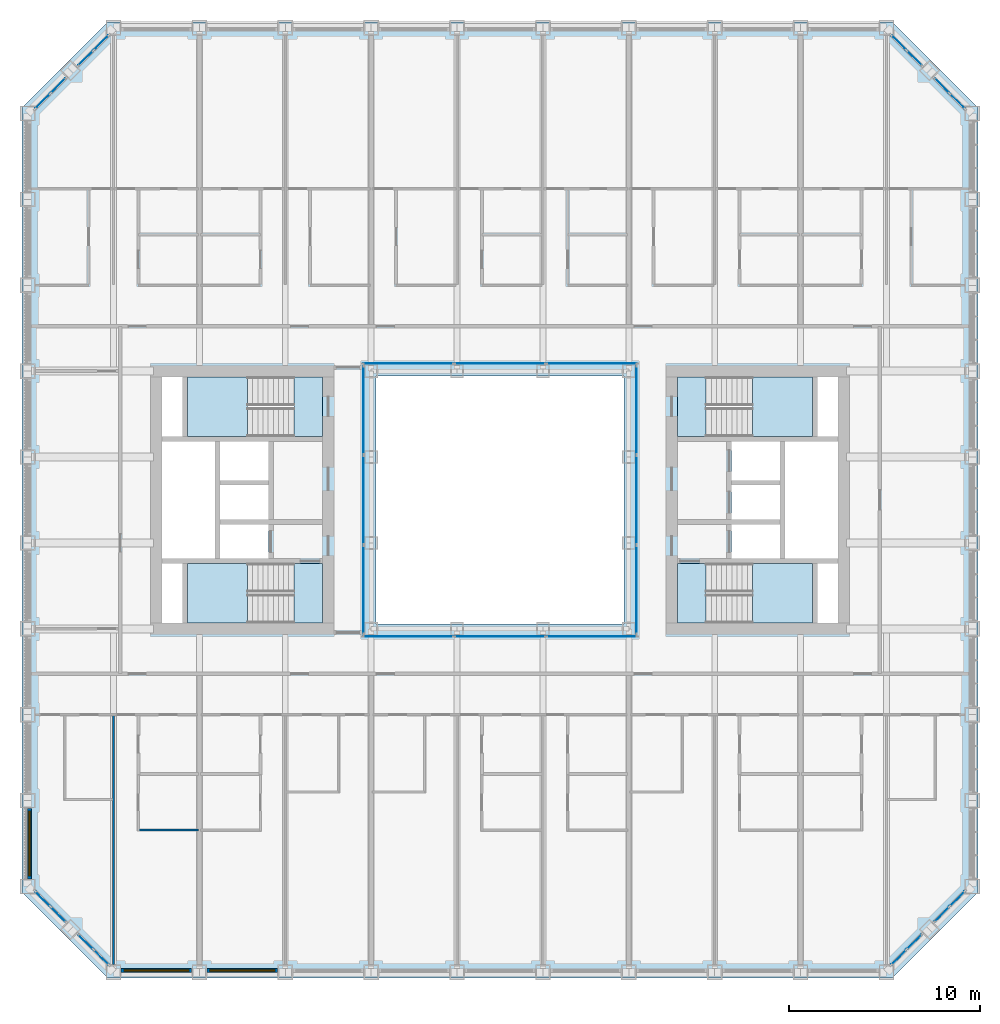
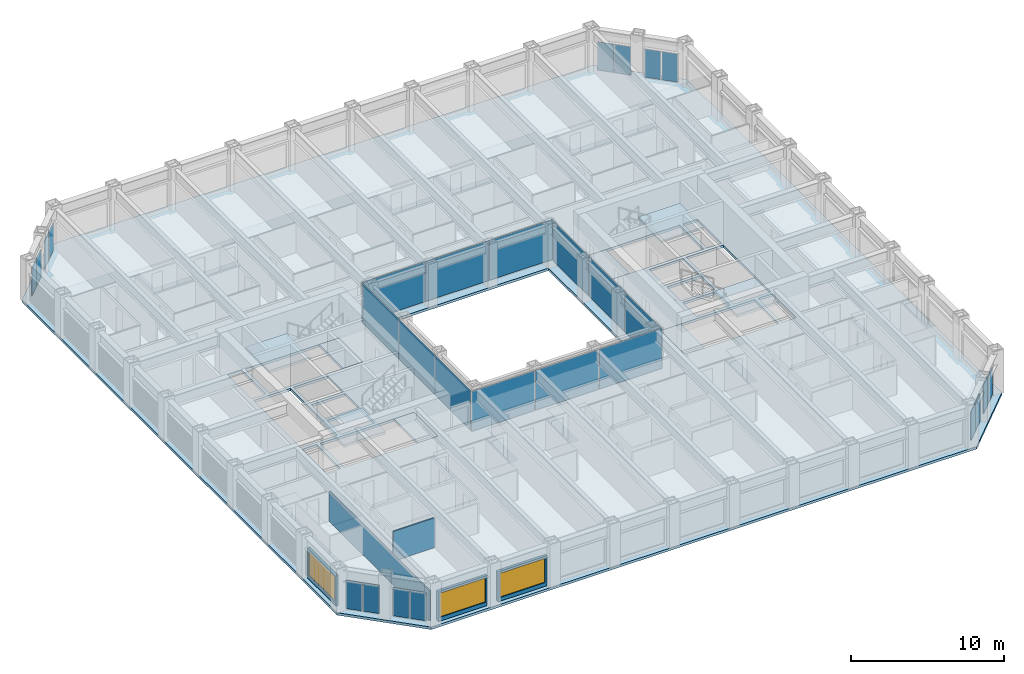
# One storey, part 8 of 21: 28 plates, 9 slabs, 5 walls, 3 windows, 3 openings, 16 elements without a shape of their own.
"""IFC4 building model written with IfcOpenShell, lengths in metres."""

from ifc_helpers import new_model, si_unit, direction, frame, frame_2d, origin, origin_2d, place, context, subcontext, project, spatial, polyline, rectangle, outline, extrude, material, layer, layer_set, type_object, element, fill, aggregate, save


model = new_model("IFC4")

# Units and contexts
model_context = context("Model", 3, precision=1e-05, world=origin(), true_north=direction((0.0, 1.0)))
body_context = subcontext(model_context, "Body", "Model", "MODEL_VIEW")
ifc_project = project(units=[si_unit("LENGTHUNIT", "METRE"), si_unit("AREAUNIT", "SQUARE_METRE"), si_unit("VOLUMEUNIT", "CUBIC_METRE"), si_unit("PLANEANGLEUNIT", "RADIAN"), si_unit("MASSUNIT", "GRAM", prefix="KILO")], contexts=[model_context])

# Site, building, storey
site_placement = place(None, origin())
site = spatial("IfcSite", under=ifc_project, at=site_placement, CompositionType="ELEMENT")
building_placement = place(site_placement, origin())
building = spatial("IfcBuilding", under=site, at=building_placement, Name="Msasa Ring Tower", CompositionType="ELEMENT")
storey_placement = place(building_placement, frame((0.0, 0.0, 54.5)))
storey = spatial("IfcBuildingStorey", under=building, at=storey_placement, Name="L13", CompositionType="ELEMENT", Elevation=54.5)

# Curtain wall, plates
ifc_material_1 = material(Name="Aluminium curtain wall with clear glass", Category="aluminium")
curtain_wall_type_1 = type_object("IfcCurtainWallType", Name="CW-C CHAMFER CORNER CURTAIN WALL", PredefinedType="NOTDEFINED", material=ifc_material_1)
curtain_wall_1_placement = place(storey_placement, origin())
curtain_wall_1 = element("IfcCurtainWall", 1, at=curtain_wall_1_placement, inside=storey, type_object=curtain_wall_type_1, Name="Chamfer corner curtain wall SE L13", PredefinedType="NOTDEFINED")
ifc_material_2 = material(Name="Clear laminated insulating glass unit", Category="glass")
ifc_layer_1 = layer(ifc_material_2, 0.031982421875)
ifc_layer_set_1 = layer_set([ifc_layer_1], Name="CW-C GLASS PANEL 32")
plate_type_1 = type_object("IfcPlateType", Name="CW-C GLASS PANEL 32", PredefinedType="CURTAIN_PANEL", material=ifc_layer_set_1)
plate_1_placement = place(storey_placement, frame((20.896484375, -23.962158203125, 0.06494140625), z_axis=(0.0, 0.0, 1.0), x_axis=(0.707106781187, 0.707106781187, 0.0)))
plate_1 = element("IfcPlate", 2, at=plate_1_placement, type_object=plate_type_1, Name="CW-C panel 1.1", PredefinedType="CURTAIN_PANEL", context=body_context, shape_type="SweptSolid", body=[
    extrude(rectangle(XDim=1.08837890625, YDim=0.031982421875, at=origin_2d()), origin(), (0.0, 0.0, 1.0), 2.2490234375),
])
plate_2_placement = place(storey_placement, frame((21.712158203125, -23.146484375, 0.06494140625), z_axis=(0.0, 0.0, 1.0), x_axis=(0.707106781187, 0.707106781187, 0.0)))
plate_2 = element("IfcPlate", 3, at=plate_2_placement, type_object=plate_type_1, Name="CW-C panel 2.1", PredefinedType="CURTAIN_PANEL", context=body_context, shape_type="SweptSolid", body=[
    extrude(rectangle(XDim=1.08837890625, YDim=0.031982421875, at=origin_2d()), origin(), (0.0, 0.0, 1.0), 2.2490234375),
])
aggregate(curtain_wall_1, [plate_1, plate_2])

curtain_wall_2_placement = place(storey_placement, origin())
curtain_wall_2 = element("IfcCurtainWall", 4, at=curtain_wall_2_placement, inside=storey, type_object=curtain_wall_type_1, Name="Chamfer corner curtain wall SE L13", PredefinedType="NOTDEFINED")
plate_3_placement = place(storey_placement, frame((23.146484375, -21.712158203125, 0.06494140625), z_axis=(0.0, 0.0, 1.0), x_axis=(0.707106781187, 0.707106781187, 0.0)))
plate_3 = element("IfcPlate", 5, at=plate_3_placement, type_object=plate_type_1, Name="CW-C panel 1.1", PredefinedType="CURTAIN_PANEL", context=body_context, shape_type="SweptSolid", body=[
    extrude(rectangle(XDim=1.08837890625, YDim=0.031982421875, at=origin_2d()), origin(), (0.0, 0.0, 1.0), 2.2490234375),
])
plate_4_placement = place(storey_placement, frame((23.962158203125, -20.896484375, 0.06494140625), z_axis=(0.0, 0.0, 1.0), x_axis=(0.707106781187, 0.707106781187, 0.0)))
plate_4 = element("IfcPlate", 6, at=plate_4_placement, type_object=plate_type_1, Name="CW-C panel 2.1", PredefinedType="CURTAIN_PANEL", context=body_context, shape_type="SweptSolid", body=[
    extrude(rectangle(XDim=1.08837890625, YDim=0.031982421875, at=origin_2d()), origin(), (0.0, 0.0, 1.0), 2.2490234375),
])
aggregate(curtain_wall_2, [plate_3, plate_4])

curtain_wall_3_placement = place(storey_placement, origin())
curtain_wall_3 = element("IfcCurtainWall", 7, at=curtain_wall_3_placement, inside=storey, type_object=curtain_wall_type_1, Name="Chamfer corner curtain wall NE L13", PredefinedType="NOTDEFINED")
plate_5_placement = place(storey_placement, frame((21.712158203125, 23.146484375, 0.06494140625), z_axis=(0.0, 0.0, 1.0), x_axis=(-0.707106781187, 0.707106781187, 0.0)))
plate_5 = element("IfcPlate", 8, at=plate_5_placement, type_object=plate_type_1, Name="CW-C panel 1.1", PredefinedType="CURTAIN_PANEL", context=body_context, shape_type="SweptSolid", body=[
    extrude(rectangle(XDim=1.08837890625, YDim=0.031982421875, at=origin_2d()), origin(), (0.0, 0.0, 1.0), 2.2490234375),
])
plate_6_placement = place(storey_placement, frame((20.896484375, 23.962158203125, 0.06494140625), z_axis=(0.0, 0.0, 1.0), x_axis=(-0.707106781187, 0.707106781187, 0.0)))
plate_6 = element("IfcPlate", 9, at=plate_6_placement, type_object=plate_type_1, Name="CW-C panel 2.1", PredefinedType="CURTAIN_PANEL", context=body_context, shape_type="SweptSolid", body=[
    extrude(rectangle(XDim=1.08837890625, YDim=0.031982421875, at=origin_2d()), origin(), (0.0, 0.0, 1.0), 2.2490234375),
])
aggregate(curtain_wall_3, [plate_5, plate_6])

curtain_wall_4_placement = place(storey_placement, origin())
curtain_wall_4 = element("IfcCurtainWall", 10, at=curtain_wall_4_placement, inside=storey, type_object=curtain_wall_type_1, Name="Chamfer corner curtain wall NE L13", PredefinedType="NOTDEFINED")
plate_7_placement = place(storey_placement, frame((23.962158203125, 20.896484375, 0.06494140625), z_axis=(0.0, 0.0, 1.0), x_axis=(-0.707106781187, 0.707106781187, 0.0)))
plate_7 = element("IfcPlate", 11, at=plate_7_placement, type_object=plate_type_1, Name="CW-C panel 1.1", PredefinedType="CURTAIN_PANEL", context=body_context, shape_type="SweptSolid", body=[
    extrude(rectangle(XDim=1.08837890625, YDim=0.031982421875, at=origin_2d()), origin(), (0.0, 0.0, 1.0), 2.2490234375),
])
plate_8_placement = place(storey_placement, frame((23.146484375, 21.712158203125, 0.06494140625), z_axis=(0.0, 0.0, 1.0), x_axis=(-0.707106781187, 0.707106781187, 0.0)))
plate_8 = element("IfcPlate", 12, at=plate_8_placement, type_object=plate_type_1, Name="CW-C panel 2.1", PredefinedType="CURTAIN_PANEL", context=body_context, shape_type="SweptSolid", body=[
    extrude(rectangle(XDim=1.08837890625, YDim=0.031982421875, at=origin_2d()), origin(), (0.0, 0.0, 1.0), 2.2490234375),
])
aggregate(curtain_wall_4, [plate_7, plate_8])

curtain_wall_5_placement = place(storey_placement, origin())
curtain_wall_5 = element("IfcCurtainWall", 13, at=curtain_wall_5_placement, inside=storey, type_object=curtain_wall_type_1, Name="Chamfer corner curtain wall NW L13", PredefinedType="NOTDEFINED")
plate_9_placement = place(storey_placement, frame((-23.146484375, 21.712158203125, 0.06494140625), z_axis=(0.0, 0.0, 1.0), x_axis=(-0.707106781187, -0.707106781187, 0.0)))
plate_9 = element("IfcPlate", 14, at=plate_9_placement, type_object=plate_type_1, Name="CW-C panel 1.1", PredefinedType="CURTAIN_PANEL", context=body_context, shape_type="SweptSolid", body=[
    extrude(rectangle(XDim=1.08837890625, YDim=0.031982421875, at=origin_2d()), origin(), (0.0, 0.0, 1.0), 2.2490234375),
])
plate_10_placement = place(storey_placement, frame((-23.962158203125, 20.896484375, 0.06494140625), z_axis=(0.0, 0.0, 1.0), x_axis=(-0.707106781187, -0.707106781187, 0.0)))
plate_10 = element("IfcPlate", 15, at=plate_10_placement, type_object=plate_type_1, Name="CW-C panel 2.1", PredefinedType="CURTAIN_PANEL", context=body_context, shape_type="SweptSolid", body=[
    extrude(rectangle(XDim=1.08837890625, YDim=0.031982421875, at=origin_2d()), origin(), (0.0, 0.0, 1.0), 2.2490234375),
])
aggregate(curtain_wall_5, [plate_9, plate_10])

curtain_wall_6_placement = place(storey_placement, origin())
curtain_wall_6 = element("IfcCurtainWall", 16, at=curtain_wall_6_placement, inside=storey, type_object=curtain_wall_type_1, Name="Chamfer corner curtain wall NW L13", PredefinedType="NOTDEFINED")
plate_11_placement = place(storey_placement, frame((-20.896484375, 23.962158203125, 0.06494140625), z_axis=(0.0, 0.0, 1.0), x_axis=(-0.707106781187, -0.707106781187, 0.0)))
plate_11 = element("IfcPlate", 17, at=plate_11_placement, type_object=plate_type_1, Name="CW-C panel 1.1", PredefinedType="CURTAIN_PANEL", context=body_context, shape_type="SweptSolid", body=[
    extrude(rectangle(XDim=1.08837890625, YDim=0.031982421875, at=origin_2d()), origin(), (0.0, 0.0, 1.0), 2.2490234375),
])
plate_12_placement = place(storey_placement, frame((-21.712158203125, 23.146484375, 0.06494140625), z_axis=(0.0, 0.0, 1.0), x_axis=(-0.707106781187, -0.707106781187, 0.0)))
plate_12 = element("IfcPlate", 18, at=plate_12_placement, type_object=plate_type_1, Name="CW-C panel 2.1", PredefinedType="CURTAIN_PANEL", context=body_context, shape_type="SweptSolid", body=[
    extrude(rectangle(XDim=1.08837890625, YDim=0.031982421875, at=origin_2d()), origin(), (0.0, 0.0, 1.0), 2.2490234375),
])
aggregate(curtain_wall_6, [plate_11, plate_12])

curtain_wall_7_placement = place(storey_placement, origin())
curtain_wall_7 = element("IfcCurtainWall", 19, at=curtain_wall_7_placement, inside=storey, type_object=curtain_wall_type_1, Name="Chamfer corner curtain wall SW L13", PredefinedType="NOTDEFINED")
plate_13_placement = place(storey_placement, frame((-23.962158203125, -20.896484375, 0.06494140625), z_axis=(0.0, 0.0, 1.0), x_axis=(0.707106781187, -0.707106781187, 0.0)))
plate_13 = element("IfcPlate", 20, at=plate_13_placement, type_object=plate_type_1, Name="CW-C panel 1.1", PredefinedType="CURTAIN_PANEL", context=body_context, shape_type="SweptSolid", body=[
    extrude(rectangle(XDim=1.08837890625, YDim=0.031982421875, at=origin_2d()), origin(), (0.0, 0.0, 1.0), 2.2490234375),
])
plate_14_placement = place(storey_placement, frame((-23.146484375, -21.712158203125, 0.06494140625), z_axis=(0.0, 0.0, 1.0), x_axis=(0.707106781187, -0.707106781187, 0.0)))
plate_14 = element("IfcPlate", 21, at=plate_14_placement, type_object=plate_type_1, Name="CW-C panel 2.1", PredefinedType="CURTAIN_PANEL", context=body_context, shape_type="SweptSolid", body=[
    extrude(rectangle(XDim=1.08837890625, YDim=0.031982421875, at=origin_2d()), origin(), (0.0, 0.0, 1.0), 2.2490234375),
])
aggregate(curtain_wall_7, [plate_13, plate_14])

curtain_wall_8_placement = place(storey_placement, origin())
curtain_wall_8 = element("IfcCurtainWall", 22, at=curtain_wall_8_placement, inside=storey, type_object=curtain_wall_type_1, Name="Chamfer corner curtain wall SW L13", PredefinedType="NOTDEFINED")
plate_15_placement = place(storey_placement, frame((-21.712158203125, -23.146484375, 0.06494140625), z_axis=(0.0, 0.0, 1.0), x_axis=(0.707106781187, -0.707106781187, 0.0)))
plate_15 = element("IfcPlate", 23, at=plate_15_placement, type_object=plate_type_1, Name="CW-C panel 1.1", PredefinedType="CURTAIN_PANEL", context=body_context, shape_type="SweptSolid", body=[
    extrude(rectangle(XDim=1.08837890625, YDim=0.031982421875, at=origin_2d()), origin(), (0.0, 0.0, 1.0), 2.2490234375),
])
plate_16_placement = place(storey_placement, frame((-20.896484375, -23.962158203125, 0.06494140625), z_axis=(0.0, 0.0, 1.0), x_axis=(0.707106781187, -0.707106781187, 0.0)))
plate_16 = element("IfcPlate", 24, at=plate_16_placement, type_object=plate_type_1, Name="CW-C panel 2.1", PredefinedType="CURTAIN_PANEL", context=body_context, shape_type="SweptSolid", body=[
    extrude(rectangle(XDim=1.08837890625, YDim=0.031982421875, at=origin_2d()), origin(), (0.0, 0.0, 1.0), 2.2490234375),
])
aggregate(curtain_wall_8, [plate_15, plate_16])

ifc_material_3 = material(Name="Aluminium curtain wall with clear glass", Category="aluminium")
curtain_wall_type_2 = type_object("IfcCurtainWallType", Name="CW-W LIGHT WELL CURTAIN WALL", PredefinedType="NOTDEFINED", material=ifc_material_3)
curtain_wall_9_placement = place(storey_placement, origin())
curtain_wall_9 = element("IfcCurtainWall", 25, at=curtain_wall_9_placement, inside=storey, type_object=curtain_wall_type_2, Name="Light well curtain wall N L13", PredefinedType="NOTDEFINED")
ifc_material_4 = material(Name="Clear laminated insulating glass unit", Category="glass")
ifc_layer_2 = layer(ifc_material_4, 0.028076171875)
ifc_layer_set_2 = layer_set([ifc_layer_2], Name="CW-W GLASS PANEL 28")
plate_type_2 = type_object("IfcPlateType", Name="CW-W GLASS PANEL 28", PredefinedType="CURTAIN_PANEL", material=ifc_layer_set_2)
plate_17_placement = place(storey_placement, frame((-4.804931640625, 7.14990234375, 0.06005859375), z_axis=(0.0, 0.0, 1.0), x_axis=(1.0, 0.0, 0.0)))
plate_17 = element("IfcPlate", 26, at=plate_17_placement, type_object=plate_type_2, Name="CW-W panel 1.1", PredefinedType="CURTAIN_PANEL", context=body_context, shape_type="SweptSolid", body=[
    extrude(rectangle(XDim=4.72998046875, YDim=0.028076171875, at=origin_2d()), origin(), (0.0, 0.0, 1.0), 3.179931640625),
])
plate_18_placement = place(storey_placement, frame((0.0, 7.14990234375, 0.06005859375), z_axis=(0.0, 0.0, 1.0), x_axis=(1.0, 0.0, 0.0)))
plate_18 = element("IfcPlate", 27, at=plate_18_placement, type_object=plate_type_2, Name="CW-W panel 2.1", PredefinedType="CURTAIN_PANEL", context=body_context, shape_type="SweptSolid", body=[
    extrude(rectangle(XDim=4.760009765625, YDim=0.028076171875, at=origin_2d()), origin(), (0.0, 0.0, 1.0), 3.179931640625),
])
plate_19_placement = place(storey_placement, frame((4.804931640625, 7.14990234375, 0.06005859375), z_axis=(0.0, 0.0, 1.0), x_axis=(1.0, 0.0, 0.0)))
plate_19 = element("IfcPlate", 28, at=plate_19_placement, type_object=plate_type_2, Name="CW-W panel 3.1", PredefinedType="CURTAIN_PANEL", context=body_context, shape_type="SweptSolid", body=[
    extrude(rectangle(XDim=4.72998046875, YDim=0.028076171875, at=origin_2d()), origin(), (0.0, 0.0, 1.0), 3.179931640625),
])
aggregate(curtain_wall_9, [plate_17, plate_18, plate_19])

curtain_wall_10_placement = place(storey_placement, origin())
curtain_wall_10 = element("IfcCurtainWall", 29, at=curtain_wall_10_placement, inside=storey, type_object=curtain_wall_type_2, Name="Light well curtain wall S L13", PredefinedType="NOTDEFINED")
plate_20_placement = place(storey_placement, frame((-4.804931640625, -7.14990234375, 0.06005859375), z_axis=(0.0, 0.0, 1.0), x_axis=(1.0, 0.0, 0.0)))
plate_20 = element("IfcPlate", 30, at=plate_20_placement, type_object=plate_type_2, Name="CW-W panel 1.1", PredefinedType="CURTAIN_PANEL", context=body_context, shape_type="SweptSolid", body=[
    extrude(rectangle(XDim=4.72998046875, YDim=0.028076171875, at=origin_2d()), origin(), (0.0, 0.0, 1.0), 3.179931640625),
])
plate_21_placement = place(storey_placement, frame((0.0, -7.14990234375, 0.06005859375), z_axis=(0.0, 0.0, 1.0), x_axis=(1.0, 0.0, 0.0)))
plate_21 = element("IfcPlate", 31, at=plate_21_placement, type_object=plate_type_2, Name="CW-W panel 2.1", PredefinedType="CURTAIN_PANEL", context=body_context, shape_type="SweptSolid", body=[
    extrude(rectangle(XDim=4.760009765625, YDim=0.028076171875, at=origin_2d()), origin(), (0.0, 0.0, 1.0), 3.179931640625),
])
plate_22_placement = place(storey_placement, frame((4.804931640625, -7.14990234375, 0.06005859375), z_axis=(0.0, 0.0, 1.0), x_axis=(1.0, 0.0, 0.0)))
plate_22 = element("IfcPlate", 32, at=plate_22_placement, type_object=plate_type_2, Name="CW-W panel 3.1", PredefinedType="CURTAIN_PANEL", context=body_context, shape_type="SweptSolid", body=[
    extrude(rectangle(XDim=4.72998046875, YDim=0.028076171875, at=origin_2d()), origin(), (0.0, 0.0, 1.0), 3.179931640625),
])
aggregate(curtain_wall_10, [plate_20, plate_21, plate_22])

curtain_wall_11_placement = place(storey_placement, origin())
curtain_wall_11 = element("IfcCurtainWall", 33, at=curtain_wall_11_placement, inside=storey, type_object=curtain_wall_type_2, Name="Light well curtain wall E L13", PredefinedType="NOTDEFINED")
plate_23_placement = place(storey_placement, frame((7.14990234375, -4.6982421875, 0.06005859375), z_axis=(0.0, 0.0, 1.0), x_axis=(0.0, 1.0, 0.0)))
plate_23 = element("IfcPlate", 34, at=plate_23_placement, type_object=plate_type_2, Name="CW-W panel 1.1", PredefinedType="CURTAIN_PANEL", context=body_context, shape_type="SweptSolid", body=[
    extrude(rectangle(XDim=4.623291015625, YDim=0.028076171875, at=origin_2d()), origin(), (0.0, 0.0, 1.0), 3.179931640625),
])
plate_24_placement = place(storey_placement, frame((7.14990234375, 0.0, 0.06005859375), z_axis=(0.0, 0.0, 1.0), x_axis=(0.0, 1.0, 0.0)))
plate_24 = element("IfcPlate", 35, at=plate_24_placement, type_object=plate_type_2, Name="CW-W panel 2.1", PredefinedType="CURTAIN_PANEL", context=body_context, shape_type="SweptSolid", body=[
    extrude(rectangle(XDim=4.6533203125, YDim=0.028076171875, at=origin_2d()), origin(), (0.0, 0.0, 1.0), 3.179931640625),
])
plate_25_placement = place(storey_placement, frame((7.14990234375, 4.6982421875, 0.06005859375), z_axis=(0.0, 0.0, 1.0), x_axis=(0.0, 1.0, 0.0)))
plate_25 = element("IfcPlate", 36, at=plate_25_placement, type_object=plate_type_2, Name="CW-W panel 3.1", PredefinedType="CURTAIN_PANEL", context=body_context, shape_type="SweptSolid", body=[
    extrude(rectangle(XDim=4.623291015625, YDim=0.028076171875, at=origin_2d()), origin(), (0.0, 0.0, 1.0), 3.179931640625),
])
aggregate(curtain_wall_11, [plate_23, plate_24, plate_25])

curtain_wall_12_placement = place(storey_placement, origin())
curtain_wall_12 = element("IfcCurtainWall", 37, at=curtain_wall_12_placement, inside=storey, type_object=curtain_wall_type_2, Name="Light well curtain wall W L13", PredefinedType="NOTDEFINED")
plate_26_placement = place(storey_placement, frame((-7.14990234375, -4.6982421875, 0.06005859375), z_axis=(0.0, 0.0, 1.0), x_axis=(0.0, 1.0, 0.0)))
plate_26 = element("IfcPlate", 38, at=plate_26_placement, type_object=plate_type_2, Name="CW-W panel 1.1", PredefinedType="CURTAIN_PANEL", context=body_context, shape_type="SweptSolid", body=[
    extrude(rectangle(XDim=4.623291015625, YDim=0.028076171875, at=origin_2d()), origin(), (0.0, 0.0, 1.0), 3.179931640625),
])
plate_27_placement = place(storey_placement, frame((-7.14990234375, 0.0, 0.06005859375), z_axis=(0.0, 0.0, 1.0), x_axis=(0.0, 1.0, 0.0)))
plate_27 = element("IfcPlate", 39, at=plate_27_placement, type_object=plate_type_2, Name="CW-W panel 2.1", PredefinedType="CURTAIN_PANEL", context=body_context, shape_type="SweptSolid", body=[
    extrude(rectangle(XDim=4.6533203125, YDim=0.028076171875, at=origin_2d()), origin(), (0.0, 0.0, 1.0), 3.179931640625),
])
plate_28_placement = place(storey_placement, frame((-7.14990234375, 4.6982421875, 0.06005859375), z_axis=(0.0, 0.0, 1.0), x_axis=(0.0, 1.0, 0.0)))
plate_28 = element("IfcPlate", 40, at=plate_28_placement, type_object=plate_type_2, Name="CW-W panel 3.1", PredefinedType="CURTAIN_PANEL", context=body_context, shape_type="SweptSolid", body=[
    extrude(rectangle(XDim=4.623291015625, YDim=0.028076171875, at=origin_2d()), origin(), (0.0, 0.0, 1.0), 3.179931640625),
])
aggregate(curtain_wall_12, [plate_26, plate_27, plate_28])

# Stair, slabs
ifc_material_5 = material(Name="Concrete C40/50", Category="concrete")
stair_type = type_object("IfcStairType", Name="STC CORE STAIR 20 RISERS 175", PredefinedType="HALF_TURN_STAIR", material=ifc_material_5)
stair_1_placement = place(storey_placement, origin())
stair_1 = element("IfcStair", 41, at=stair_1_placement, inside=storey, type_object=stair_type, Name="Core stair SEA L13", PredefinedType="HALF_TURN_STAIR")
ifc_material_6 = material(Name="Concrete C40/50", Category="concrete")
ifc_layer_3 = layer(ifc_material_6, 0.199951171875)
ifc_layer_set_3 = layer_set([ifc_layer_3], Name="LD1 CORE STAIR LANDING 200")
slab_type_1 = type_object("IfcSlabType", Name="LD1 CORE STAIR LANDING 200", PredefinedType="LANDING", material=ifc_layer_set_3)
slab_1_placement = place(storey_placement, frame((0.0, 0.0, -0.199951171875)))
slab_1 = element("IfcSlab", 42, at=slab_1_placement, type_object=slab_type_1, Name="SEA landing 1", PredefinedType="LANDING", context=body_context, shape_type="SweptSolid", body=[
    extrude(outline(polyline([(9.300048828125, -6.449951171875), (10.800048828125, -6.449951171875), (10.800048828125, -3.324951171875), (9.300048828125, -3.324951171875), (9.300048828125, -6.449951171875)])), origin(), (0.0, 0.0, 1.0), 0.199951171875),
])
slab_2_placement = place(storey_placement, frame((0.0, 0.0, 1.550048828125)))
slab_2 = element("IfcSlab", 43, at=slab_2_placement, type_object=slab_type_1, Name="SEA landing 2", PredefinedType="LANDING", context=body_context, shape_type="SweptSolid", body=[
    extrude(outline(polyline([(13.22998046875, -6.449951171875), (16.375, -6.449951171875), (16.375, -3.324951171875), (13.22998046875, -3.324951171875), (13.22998046875, -6.449951171875)])), origin(), (0.0, 0.0, 1.0), 0.199951171875),
])
aggregate(stair_1, [slab_1, slab_2])

stair_2_placement = place(storey_placement, origin())
stair_2 = element("IfcStair", 44, at=stair_2_placement, inside=storey, type_object=stair_type, Name="Core stair SEB L13", PredefinedType="HALF_TURN_STAIR")
slab_3_placement = place(storey_placement, frame((0.0, 0.0, -0.199951171875)))
slab_3 = element("IfcSlab", 45, at=slab_3_placement, type_object=slab_type_1, Name="SEB landing 1", PredefinedType="LANDING", context=body_context, shape_type="SweptSolid", body=[
    extrude(outline(polyline([(9.300048828125, 3.324951171875), (10.800048828125, 3.324951171875), (10.800048828125, 6.449951171875), (9.300048828125, 6.449951171875), (9.300048828125, 3.324951171875)])), origin(), (0.0, 0.0, 1.0), 0.199951171875),
])
slab_4_placement = place(storey_placement, frame((0.0, 0.0, 1.550048828125)))
slab_4 = element("IfcSlab", 46, at=slab_4_placement, type_object=slab_type_1, Name="SEB landing 2", PredefinedType="LANDING", context=body_context, shape_type="SweptSolid", body=[
    extrude(outline(polyline([(13.22998046875, 3.324951171875), (16.375, 3.324951171875), (16.375, 6.449951171875), (13.22998046875, 6.449951171875), (13.22998046875, 3.324951171875)])), origin(), (0.0, 0.0, 1.0), 0.199951171875),
])
aggregate(stair_2, [slab_3, slab_4])

stair_3_placement = place(storey_placement, origin())
stair_3 = element("IfcStair", 47, at=stair_3_placement, inside=storey, type_object=stair_type, Name="Core stair SWA L13", PredefinedType="HALF_TURN_STAIR")
slab_5_placement = place(storey_placement, frame((0.0, 0.0, -0.199951171875)))
slab_5 = element("IfcSlab", 48, at=slab_5_placement, type_object=slab_type_1, Name="SWA landing 1", PredefinedType="LANDING", context=body_context, shape_type="SweptSolid", body=[
    extrude(outline(polyline([(-10.800048828125, -6.449951171875), (-9.300048828125, -6.449951171875), (-9.300048828125, -3.324951171875), (-10.800048828125, -3.324951171875), (-10.800048828125, -6.449951171875)])), origin(), (0.0, 0.0, 1.0), 0.199951171875),
])
slab_6_placement = place(storey_placement, frame((0.0, 0.0, 1.550048828125)))
slab_6 = element("IfcSlab", 49, at=slab_6_placement, type_object=slab_type_1, Name="SWA landing 2", PredefinedType="LANDING", context=body_context, shape_type="SweptSolid", body=[
    extrude(outline(polyline([(-16.375, -6.449951171875), (-13.22998046875, -6.449951171875), (-13.22998046875, -3.324951171875), (-16.375, -3.324951171875), (-16.375, -6.449951171875)])), origin(), (0.0, 0.0, 1.0), 0.199951171875),
])
aggregate(stair_3, [slab_5, slab_6])

stair_4_placement = place(storey_placement, origin())
stair_4 = element("IfcStair", 50, at=stair_4_placement, inside=storey, type_object=stair_type, Name="Core stair SWB L13", PredefinedType="HALF_TURN_STAIR")
slab_7_placement = place(storey_placement, frame((0.0, 0.0, -0.199951171875)))
slab_7 = element("IfcSlab", 51, at=slab_7_placement, type_object=slab_type_1, Name="SWB landing 1", PredefinedType="LANDING", context=body_context, shape_type="SweptSolid", body=[
    extrude(outline(polyline([(-10.800048828125, 3.324951171875), (-9.300048828125, 3.324951171875), (-9.300048828125, 6.449951171875), (-10.800048828125, 6.449951171875), (-10.800048828125, 3.324951171875)])), origin(), (0.0, 0.0, 1.0), 0.199951171875),
])
slab_8_placement = place(storey_placement, frame((0.0, 0.0, 1.550048828125)))
slab_8 = element("IfcSlab", 52, at=slab_8_placement, type_object=slab_type_1, Name="SWB landing 2", PredefinedType="LANDING", context=body_context, shape_type="SweptSolid", body=[
    extrude(outline(polyline([(-16.375, 3.324951171875), (-13.22998046875, 3.324951171875), (-13.22998046875, 6.449951171875), (-16.375, 6.449951171875), (-16.375, 3.324951171875)])), origin(), (0.0, 0.0, 1.0), 0.199951171875),
])
aggregate(stair_4, [slab_7, slab_8])

# Slab
ifc_material_7 = material(Name="Concrete C40/50", Category="concrete")
ifc_layer_4 = layer(ifc_material_7, 0.199951171875)
ifc_layer_set_4 = layer_set([ifc_layer_4], Name="S3 RESIDENCE FLOOR 200")
slab_type_2 = type_object("IfcSlabType", Name="S3 RESIDENCE FLOOR 200", PredefinedType="FLOOR", material=ifc_layer_set_4)
slab_9_placement = place(storey_placement, frame((0.0, 0.0, -0.199951171875)))
element("IfcSlab", 53, at=slab_9_placement, inside=storey, type_object=slab_type_2, Name="Floor slab L13", PredefinedType="FLOOR", context=body_context, shape_type="SweptSolid", body=[
    extrude(outline(polyline([(-20.550048828125, -25.050048828125), (20.550048828125, -25.050048828125), (25.050048828125, -20.550048828125), (25.050048828125, 20.550048828125), (20.550048828125, 25.050048828125), (-20.550048828125, 25.050048828125), (-25.050048828125, 20.550048828125), (-25.050048828125, -20.550048828125), (-20.550048828125, -25.050048828125)]), holes=[polyline([(-6.5, -6.5), (6.5, -6.5), (6.5, 6.5), (-6.5, 6.5), (-6.5, -6.5)]), polyline([(9.300048828125, -6.449951171875), (16.375, -6.449951171875), (16.375, -3.324951171875), (9.300048828125, -3.324951171875), (9.300048828125, -6.449951171875)]), polyline([(9.300048828125, 3.324951171875), (16.375, 3.324951171875), (16.375, 6.449951171875), (9.300048828125, 6.449951171875), (9.300048828125, 3.324951171875)]), polyline([(12.125, -3.074951171875), (14.675048828125, -3.074951171875), (14.675048828125, -1.27490234375), (12.125, -1.27490234375), (12.125, -3.074951171875)]), polyline([(12.125, -1.02490234375), (14.675048828125, -1.02490234375), (14.675048828125, 0.77490234375), (12.125, 0.77490234375), (12.125, -1.02490234375)]), polyline([(12.125, 1.02490234375), (14.675048828125, 1.02490234375), (14.675048828125, 3.074951171875), (12.125, 3.074951171875), (12.125, 1.02490234375)]), polyline([(16.625, -6.449951171875), (17.699951171875, -6.449951171875), (17.699951171875, -3.324951171875), (16.625, -3.324951171875), (16.625, -6.449951171875)]), polyline([(16.625, 3.324951171875), (17.699951171875, 3.324951171875), (17.699951171875, 6.449951171875), (16.625, 6.449951171875), (16.625, 3.324951171875)]), polyline([(14.925048828125, -3.074951171875), (17.699951171875, -3.074951171875), (17.699951171875, 3.074951171875), (14.925048828125, 3.074951171875), (14.925048828125, -3.074951171875)]), polyline([(-16.375, -6.449951171875), (-9.300048828125, -6.449951171875), (-9.300048828125, -3.324951171875), (-16.375, -3.324951171875), (-16.375, -6.449951171875)]), polyline([(-16.375, 3.324951171875), (-9.300048828125, 3.324951171875), (-9.300048828125, 6.449951171875), (-16.375, 6.449951171875), (-16.375, 3.324951171875)]), polyline([(-14.675048828125, -3.074951171875), (-12.125, -3.074951171875), (-12.125, -1.27490234375), (-14.675048828125, -1.27490234375), (-14.675048828125, -3.074951171875)]), polyline([(-14.675048828125, -1.02490234375), (-12.125, -1.02490234375), (-12.125, 0.77490234375), (-14.675048828125, 0.77490234375), (-14.675048828125, -1.02490234375)]), polyline([(-14.675048828125, 1.02490234375), (-12.125, 1.02490234375), (-12.125, 3.074951171875), (-14.675048828125, 3.074951171875), (-14.675048828125, 1.02490234375)]), polyline([(-17.699951171875, -6.449951171875), (-16.625, -6.449951171875), (-16.625, -3.324951171875), (-17.699951171875, -3.324951171875), (-17.699951171875, -6.449951171875)]), polyline([(-17.699951171875, 3.324951171875), (-16.625, 3.324951171875), (-16.625, 6.449951171875), (-17.699951171875, 6.449951171875), (-17.699951171875, 3.324951171875)]), polyline([(-17.699951171875, -3.074951171875), (-14.925048828125, -3.074951171875), (-14.925048828125, 3.074951171875), (-17.699951171875, 3.074951171875), (-17.699951171875, -3.074951171875)])]), origin(), (0.0, 0.0, 1.0), 0.199951171875),
])

# Wall, opening, window
ifc_material_8 = material(Name="Terracotta rainscreen on blockwork", Category="masonry")
ifc_layer_5 = layer(ifc_material_8, 0.199951171875)
ifc_layer_set_5 = layer_set([ifc_layer_5], Name="FW1 TERRACOTTA-LINED INFILL BAY WALL 200")
wall_type_1 = type_object("IfcWallType", Name="FW1 TERRACOTTA-LINED INFILL BAY WALL 200", PredefinedType="SOLIDWALL", material=ifc_layer_set_5)
wall_1_placement = place(storey_placement, frame((-19.844970703125, -24.64990234375, 0.0), z_axis=(0.0, 0.0, 1.0), x_axis=(1.0, 0.0, 0.0)))
wall_1 = element("IfcWall", 54, at=wall_1_placement, inside=storey, type_object=wall_type_1, Name="Infill bay wall S L13 00", PredefinedType="SOLIDWALL", context=body_context, shape_type="SweptSolid", body=[
    extrude(rectangle(XDim=3.68994140625, YDim=0.199951171875, at=frame_2d((1.844970703125, 0.0))), origin(), (0.0, 0.0, 1.0), 2.37890625),
])
opening_1_placement = place(wall_1_placement, frame((0.14501953125, 0.0, 0.300048828125)))
opening_1 = element("IfcOpeningElement", 55, at=opening_1_placement, cuts=wall_1, Name="Opening WN1", PredefinedType="OPENING", context=body_context, shape_type="SweptSolid", body=[
    extrude(rectangle(XDim=3.39990234375, YDim=1.928955078125, at=frame_2d((1.699951171875, 0.96435546875))), frame((0.0, 0.10986328125, 0.0), z_axis=(0.0, -1.0, 0.0), x_axis=(1.0, 0.0, 0.0)), (0.0, 0.0, 1.0), 0.219970703125),
])
ifc_material_9 = material(Name="Aluminium frame with clear glass", Category="aluminium")
window_type = type_object("IfcWindowType", Name="WN1 RESIDENCE WINDOW 3400x1929", PartitioningType="SINGLE_PANEL", PredefinedType="WINDOW", material=ifc_material_9)
window_1_placement = place(opening_1_placement, origin())
window_1 = element("IfcWindow", 56, at=window_1_placement, inside=storey, type_object=window_type, Name="Window S L13 00", OverallHeight=1.928955078125, OverallWidth=3.39990234375, PartitioningType="SINGLE_PANEL", PredefinedType="WINDOW", context=body_context, shape_type="SweptSolid", body=[
    extrude(rectangle(XDim=3.39990234375, YDim=1.928955078125, at=frame_2d((1.699951171875, 0.96435546875))), frame((0.0, 0.030029296875, 0.0), z_axis=(0.0, -1.0, 0.0), x_axis=(1.0, 0.0, 0.0)), (0.0, 0.0, 1.0), 0.06005859375),
])
fill(opening_1, window_1)

wall_2_placement = place(storey_placement, frame((-15.344970703125, -24.64990234375, 0.0), z_axis=(0.0, 0.0, 1.0), x_axis=(1.0, 0.0, 0.0)))
wall_2 = element("IfcWall", 57, at=wall_2_placement, inside=storey, type_object=wall_type_1, Name="Infill bay wall S L13 01", PredefinedType="SOLIDWALL", context=body_context, shape_type="SweptSolid", body=[
    extrude(rectangle(XDim=3.68994140625, YDim=0.199951171875, at=frame_2d((1.844970703125, 0.0))), origin(), (0.0, 0.0, 1.0), 2.37890625),
])
opening_2_placement = place(wall_2_placement, frame((0.14501953125, 0.0, 0.300048828125)))
opening_2 = element("IfcOpeningElement", 58, at=opening_2_placement, cuts=wall_2, Name="Opening WN1", PredefinedType="OPENING", context=body_context, shape_type="SweptSolid", body=[
    extrude(rectangle(XDim=3.39990234375, YDim=1.928955078125, at=frame_2d((1.699951171875, 0.96435546875))), frame((0.0, 0.10986328125, 0.0), z_axis=(0.0, -1.0, 0.0), x_axis=(1.0, 0.0, 0.0)), (0.0, 0.0, 1.0), 0.219970703125),
])
window_2_placement = place(opening_2_placement, origin())
window_2 = element("IfcWindow", 59, at=window_2_placement, inside=storey, type_object=window_type, Name="Window S L13 01", OverallHeight=1.928955078125, OverallWidth=3.39990234375, PartitioningType="SINGLE_PANEL", PredefinedType="WINDOW", context=body_context, shape_type="SweptSolid", body=[
    extrude(rectangle(XDim=3.39990234375, YDim=1.928955078125, at=frame_2d((1.699951171875, 0.96435546875))), frame((0.0, 0.030029296875, 0.0), z_axis=(0.0, -1.0, 0.0), x_axis=(1.0, 0.0, 0.0)), (0.0, 0.0, 1.0), 0.06005859375),
])
fill(opening_2, window_2)

wall_3_placement = place(storey_placement, frame((-24.64990234375, -19.844970703125, 0.0), z_axis=(0.0, 0.0, 1.0), x_axis=(0.0, 1.0, 0.0)))
wall_3 = element("IfcWall", 60, at=wall_3_placement, inside=storey, type_object=wall_type_1, Name="Infill bay wall W L13 33", PredefinedType="SOLIDWALL", context=body_context, shape_type="SweptSolid", body=[
    extrude(rectangle(XDim=3.68994140625, YDim=0.199951171875, at=frame_2d((1.844970703125, 0.0))), origin(), (0.0, 0.0, 1.0), 2.37890625),
])
opening_3_placement = place(wall_3_placement, frame((0.14501953125, 0.0, 0.300048828125)))
opening_3 = element("IfcOpeningElement", 61, at=opening_3_placement, cuts=wall_3, Name="Opening WN1", PredefinedType="OPENING", context=body_context, shape_type="SweptSolid", body=[
    extrude(rectangle(XDim=3.39990234375, YDim=1.928955078125, at=frame_2d((1.699951171875, 0.96435546875))), frame((0.0, 0.10986328125, 0.0), z_axis=(0.0, -1.0, 0.0), x_axis=(1.0, 0.0, 0.0)), (0.0, 0.0, 1.0), 0.219970703125),
])
window_3_placement = place(opening_3_placement, origin())
window_3 = element("IfcWindow", 62, at=window_3_placement, inside=storey, type_object=window_type, Name="Window W L13 33", OverallHeight=1.928955078125, OverallWidth=3.39990234375, PartitioningType="SINGLE_PANEL", PredefinedType="WINDOW", context=body_context, shape_type="SweptSolid", body=[
    extrude(rectangle(XDim=3.39990234375, YDim=1.928955078125, at=frame_2d((1.699951171875, 0.96435546875))), frame((0.0, 0.030029296875, 0.0), z_axis=(0.0, -1.0, 0.0), x_axis=(1.0, 0.0, 0.0)), (0.0, 0.0, 1.0), 0.06005859375),
])
fill(opening_3, window_3)

# Walls
ifc_material_10 = material(Name="Gypsum board on steel studs", Category="steel")
ifc_layer_6 = layer(ifc_material_10, 0.10009765625)
ifc_layer_set_6 = layer_set([ifc_layer_6], Name="PT2 STUD PARTITION 100")
wall_type_2 = type_object("IfcWallType", Name="PT2 STUD PARTITION 100", PredefinedType="PARTITIONING", material=ifc_layer_set_6)
wall_4_placement = place(storey_placement, frame((-20.25, -24.35009765625, 0.0), z_axis=(0.0, 0.0, 1.0), x_axis=(0.0, 1.0, 0.0)))
element("IfcWall", 63, at=wall_4_placement, inside=storey, type_object=wall_type_2, Name="Partition L13-US00P1", PredefinedType="PARTITIONING", context=body_context, shape_type="SweptSolid", body=[
    extrude(rectangle(XDim=13.050048828125, YDim=0.10009765625, at=frame_2d((6.52490234375, 0.0))), origin(), (0.0, 0.0, 1.0), 2.373291015625),
])
wall_5_placement = place(storey_placement, frame((-18.949951171875, -17.291015625, 0.0), z_axis=(0.0, 0.0, 1.0), x_axis=(1.0, 0.0, 0.0)))
element("IfcWall", 64, at=wall_5_placement, inside=storey, type_object=wall_type_2, Name="Partition L13-US00WY1", PredefinedType="PARTITIONING", context=body_context, shape_type="SweptSolid", body=[
    extrude(rectangle(XDim=3.139892578125, YDim=0.10009765625, at=frame_2d((1.56982421875, 0.0))), origin(), (0.0, 0.0, 1.0), 2.373291015625),
])

save(model, "model.ifc")
